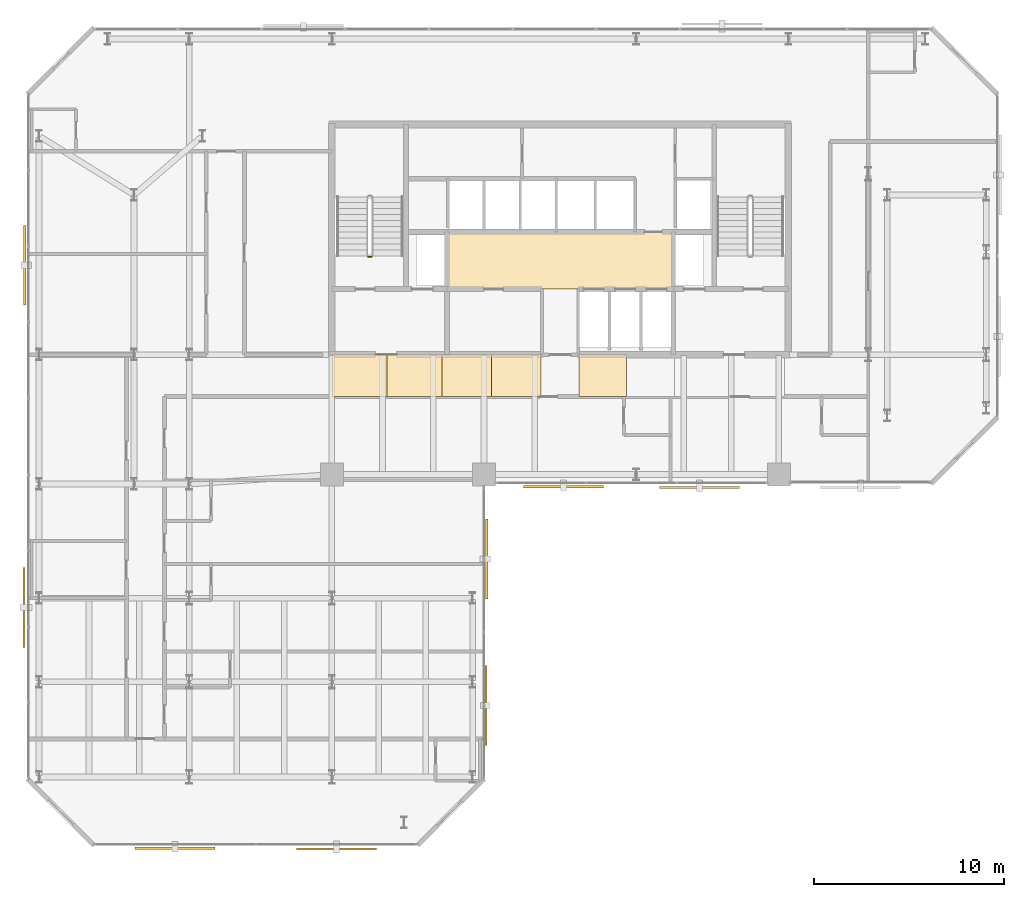
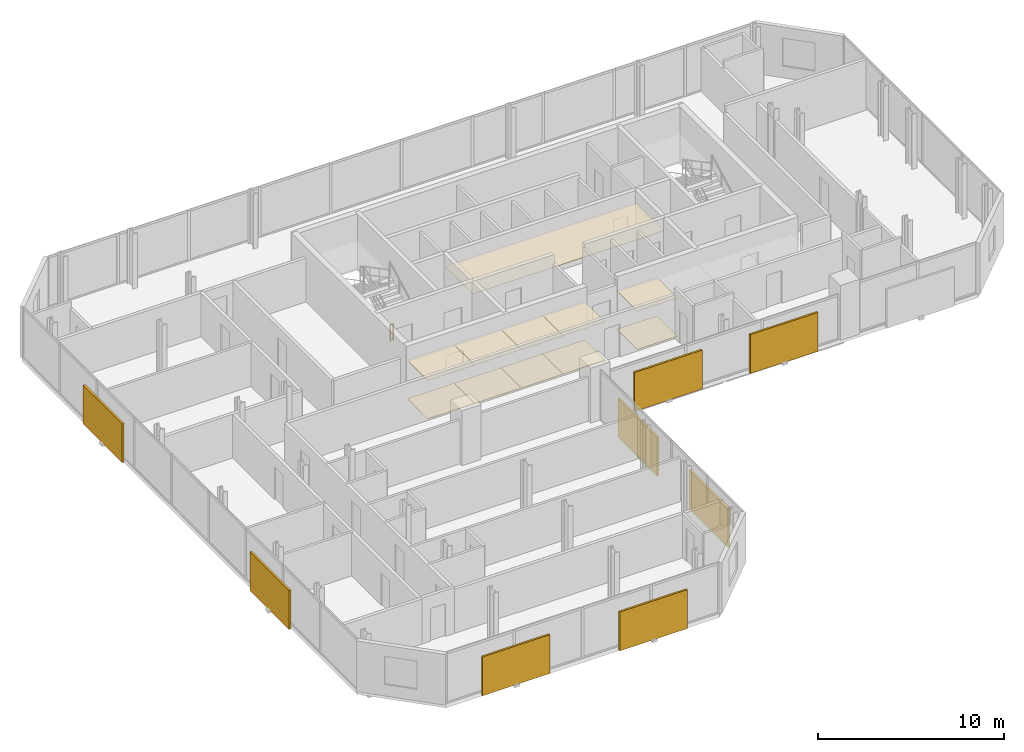
# One storey, part 31 of 32: 11 coverings, 8 shading devices, 1 railing.
"""IFC4 building model written with IfcOpenShell, lengths in metres."""

from ifc_helpers import new_model, si_unit, direction, frame, origin, origin_2d, place, context, subcontext, project, spatial, polyline, rectangle, circle, outline, extrude, material, layer, layer_set, type_object, element, save


model = new_model("IFC4")

# Units and contexts
model_context = context("Model", 3, precision=1e-05, world=origin(), true_north=direction((0.0, 1.0)))
body_context = subcontext(model_context, "Body", "Model", "MODEL_VIEW")
ifc_project = project(units=[si_unit("LENGTHUNIT", "METRE"), si_unit("AREAUNIT", "SQUARE_METRE"), si_unit("VOLUMEUNIT", "CUBIC_METRE"), si_unit("PLANEANGLEUNIT", "RADIAN"), si_unit("MASSUNIT", "GRAM", prefix="KILO")], contexts=[model_context])

# Site, building, storey
site_placement = place(None, origin())
site = spatial("IfcSite", under=ifc_project, at=site_placement, CompositionType="ELEMENT")
building_placement = place(site_placement, origin())
building = spatial("IfcBuilding", under=site, at=building_placement, Name="Catumbela Crestline Tower", CompositionType="ELEMENT")
storey_placement = place(building_placement, frame((0.0, 0.0, 129.6)))
storey = spatial("IfcBuildingStorey", under=building, at=storey_placement, Name="L33", CompositionType="ELEMENT", Elevation=129.6)

# Coverings
ifc_material_1 = material(Name="Mineral-fibre acoustic ceiling")
ifc_layer_1 = layer(ifc_material_1, 0.03, Name="Mineral-fibre acoustic ceiling")
ifc_layer_set_1 = layer_set([ifc_layer_1], Name="Mineral-fibre acoustic ceiling")
covering_type_1 = type_object("IfcCoveringType", Name="CC-AC", PredefinedType="CEILING", material=ifc_layer_set_1)
covering_1_placement = place(storey_placement, frame((0.0, 0.0, 2.65)))
element("IfcCovering", 1, at=covering_1_placement, inside=storey, type_object=covering_type_1, Name="L33 Lift Lobby Acoustic Ceiling", PredefinedType="CEILING", context=body_context, shape_type="SweptSolid", body=[
    extrude(outline(polyline([(22.05, 34.25), (33.95, 34.25), (33.95, 37.25), (22.05, 37.25), (22.05, 34.25)])), origin(), (0.0, 0.0, 1.0), 0.03),
])
covering_2_placement = place(storey_placement, frame((0.0, 0.0, 2.52)))
element("IfcCovering", 2, at=covering_2_placement, inside=storey, type_object=covering_type_1, Name="L33 Corridor Acoustic Ceiling Bay 1", PredefinedType="CEILING", context=body_context, shape_type="SweptSolid", body=[
    extrude(outline(polyline([(16.0, 28.6), (18.9, 28.6), (18.9, 30.8), (16.0, 30.8), (16.0, 28.6)])), origin(), (0.0, 0.0, 1.0), 0.03),
])
covering_3_placement = place(storey_placement, frame((0.0, 0.0, 2.52)))
element("IfcCovering", 3, at=covering_3_placement, inside=storey, type_object=covering_type_1, Name="L33 Corridor Acoustic Ceiling Bay 2", PredefinedType="CEILING", context=body_context, shape_type="SweptSolid", body=[
    extrude(outline(polyline([(18.9, 28.6), (21.8, 28.6), (21.8, 30.8), (18.9, 30.8), (18.9, 28.6)])), origin(), (0.0, 0.0, 1.0), 0.03),
])
covering_4_placement = place(storey_placement, frame((0.0, 0.0, 2.52)))
element("IfcCovering", 4, at=covering_4_placement, inside=storey, type_object=covering_type_1, Name="L33 Corridor Acoustic Ceiling Bay 3", PredefinedType="CEILING", context=body_context, shape_type="SweptSolid", body=[
    extrude(outline(polyline([(21.8, 28.6), (24.4, 28.6), (24.4, 30.8), (21.8, 30.8), (21.8, 28.6)])), origin(), (0.0, 0.0, 1.0), 0.03),
])
covering_5_placement = place(storey_placement, frame((0.0, 0.0, 2.52)))
element("IfcCovering", 5, at=covering_5_placement, inside=storey, type_object=covering_type_1, Name="L33 Corridor Acoustic Ceiling Bay 4", PredefinedType="CEILING", context=body_context, shape_type="SweptSolid", body=[
    extrude(outline(polyline([(24.4, 28.6), (27.0, 28.6), (27.0, 30.8), (24.4, 30.8), (24.4, 28.6)])), origin(), (0.0, 0.0, 1.0), 0.03),
])
covering_6_placement = place(storey_placement, frame((0.0, 0.0, 2.52)))
element("IfcCovering", 6, at=covering_6_placement, inside=storey, type_object=covering_type_1, Name="L33 Corridor Acoustic Ceiling Bay 5", PredefinedType="CEILING", context=body_context, shape_type="SweptSolid", body=[
    extrude(outline(polyline([(29.0, 28.6), (31.5, 28.6), (31.5, 30.8), (29.0, 30.8), (29.0, 28.6)])), origin(), (0.0, 0.0, 1.0), 0.03),
])
ifc_material_2 = material(Name="Angolan grey-ochre granite", Category="masonry")
ifc_layer_2 = layer(ifc_material_2, 0.025, Name="Angolan grey-ochre granite")
ifc_layer_set_2 = layer_set([ifc_layer_2], Name="Angolan grey-ochre granite")
covering_type_2 = type_object("IfcCoveringType", Name="CF-GR", PredefinedType="FLOORING", material=ifc_layer_set_2)
covering_7_placement = place(storey_placement, origin())
element("IfcCovering", 7, at=covering_7_placement, inside=storey, type_object=covering_type_2, Name="L33 Corridor Granite Flooring Bay 1", PredefinedType="FLOORING", context=body_context, shape_type="SweptSolid", body=[
    extrude(outline(polyline([(16.0, 28.6), (18.9, 28.6), (18.9, 30.8), (16.0, 30.8), (16.0, 28.6)])), origin(), (0.0, 0.0, 1.0), 0.025),
])
covering_8_placement = place(storey_placement, origin())
element("IfcCovering", 8, at=covering_8_placement, inside=storey, type_object=covering_type_2, Name="L33 Corridor Granite Flooring Bay 2", PredefinedType="FLOORING", context=body_context, shape_type="SweptSolid", body=[
    extrude(outline(polyline([(18.9, 28.6), (21.8, 28.6), (21.8, 30.8), (18.9, 30.8), (18.9, 28.6)])), origin(), (0.0, 0.0, 1.0), 0.025),
])
covering_9_placement = place(storey_placement, origin())
element("IfcCovering", 9, at=covering_9_placement, inside=storey, type_object=covering_type_2, Name="L33 Corridor Granite Flooring Bay 3", PredefinedType="FLOORING", context=body_context, shape_type="SweptSolid", body=[
    extrude(outline(polyline([(21.8, 28.6), (24.4, 28.6), (24.4, 30.8), (21.8, 30.8), (21.8, 28.6)])), origin(), (0.0, 0.0, 1.0), 0.025),
])
covering_10_placement = place(storey_placement, origin())
element("IfcCovering", 10, at=covering_10_placement, inside=storey, type_object=covering_type_2, Name="L33 Corridor Granite Flooring Bay 4", PredefinedType="FLOORING", context=body_context, shape_type="SweptSolid", body=[
    extrude(outline(polyline([(24.4, 28.6), (27.0, 28.6), (27.0, 30.8), (24.4, 30.8), (24.4, 28.6)])), origin(), (0.0, 0.0, 1.0), 0.025),
])
covering_11_placement = place(storey_placement, origin())
element("IfcCovering", 11, at=covering_11_placement, inside=storey, type_object=covering_type_2, Name="L33 Corridor Granite Flooring Bay 5", PredefinedType="FLOORING", context=body_context, shape_type="SweptSolid", body=[
    extrude(outline(polyline([(29.0, 28.6), (31.5, 28.6), (31.5, 30.8), (29.0, 30.8), (29.0, 28.6)])), origin(), (0.0, 0.0, 1.0), 0.025),
])

# Railing
ifc_material_3 = material(Name="Stainless steel EN 1.4401", Category="steel")
railing_type = type_object("IfcRailingType", Name="RG-1100", PredefinedType="GUARDRAIL", material=ifc_material_3)
railing_placement = place(storey_placement, frame((18.09, 35.95, 0.0)))
element("IfcRailing", 12, at=railing_placement, inside=storey, type_object=railing_type, Name="L33 ST-01 stair guard 4", PredefinedType="GUARDRAIL", context=body_context, shape_type="SweptSolid", body=[
    extrude(circle(Radius=0.024, at=origin_2d()), frame((0.0, 0.0, 1.076), z_axis=(-1.0, 0.0, 0.0), x_axis=(0.0, -1.0, 0.0)), (0.0, 0.0, 1.0), 0.18),
    extrude(circle(Radius=0.0156, at=origin_2d()), frame((0.0, 0.0, 0.55), z_axis=(-1.0, 0.0, 0.0), x_axis=(0.0, -1.0, 0.0)), (0.0, 0.0, 1.0), 0.18),
    extrude(circle(Radius=0.0156, at=origin_2d()), frame((0.0, 0.0, 0.12), z_axis=(-1.0, 0.0, 0.0), x_axis=(0.0, -1.0, 0.0)), (0.0, 0.0, 1.0), 0.18),
    extrude(circle(Radius=0.021, at=origin_2d()), origin(), (0.0, 0.0, 1.0), 1.052),
    extrude(circle(Radius=0.021, at=origin_2d()), frame((-0.18, 0.0, 0.0)), (0.0, 0.0, 1.0), 1.052),
])

# Shading devices
ifc_material_4 = material(Name="Extruded terracotta ceramic", Category="masonry")
shading_device_type_1 = type_object("IfcShadingDeviceType", Name="ST-180", PredefinedType="USERDEFINED", material=ifc_material_4)
shading_device_placement = place(storey_placement, frame((24.099, 12.35, -0.1), z_axis=(0.0, 0.0, 1.0), x_axis=(0.0, 1.0, 0.0)))
element("IfcShadingDevice", 13, at=shading_device_placement, inside=storey, type_object=shading_device_type_1, Name="L33 Perforated Terracotta Solar Screen 356 (180 mm)", ObjectType="SCREEN", PredefinedType="USERDEFINED", context=body_context, shape_type="SweptSolid", body=[
    extrude(rectangle(XDim=4.2, YDim=0.12, at=origin_2d()), origin(), (0.0, 0.0, 1.0), 2.55),
])
shading_device_type_2 = type_object("IfcShadingDeviceType", Name="ST-260", PredefinedType="USERDEFINED", material=ifc_material_4)
for number, where, z_axis, x_axis, name in (
    (14, (7.75, 4.857, -0.1), (0.0, 0.0, 1.0), (1.0, 0.0, 0.0), "L33 Perforated Terracotta Solar Screen 354 (260 mm)"),
    (15, (24.143, 20.05, -0.1), (0.0, 0.0, 1.0), (0.0, 1.0, 0.0), "L33 Perforated Terracotta Solar Screen 357 (260 mm)"),
    (16, (28.175, 23.857, -0.1), (0.0, 0.0, 1.0), (1.0, 0.0, 0.0), "L33 Perforated Terracotta Solar Screen 358 (260 mm)"),
    (17, (-0.143, 35.5, -0.1), (0.0, 0.0, 1.0), (0.0, -1.0, 0.0), "L33 Perforated Terracotta Solar Screen 365 (260 mm)"),
):
    element("IfcShadingDevice", number, at=place(storey_placement, frame(where, z_axis=z_axis, x_axis=x_axis)), inside=storey, type_object=shading_device_type_2, Name=name, ObjectType="SCREEN", PredefinedType="USERDEFINED", context=body_context, shape_type="SweptSolid", body=[
        extrude(rectangle(XDim=4.2, YDim=0.12, at=origin_2d()), origin(), (0.0, 0.0, 1.0), 2.55),
    ])
shading_device_type_3 = type_object("IfcShadingDeviceType", Name="ST-340", PredefinedType="USERDEFINED", material=ifc_material_4)
for number, where, z_axis, x_axis, name in (
    (18, (16.25, 4.813, -0.1), (0.0, 0.0, 1.0), (1.0, 0.0, 0.0), "L33 Perforated Terracotta Solar Screen 355 (340 mm)"),
    (19, (35.325, 23.813, -0.1), (0.0, 0.0, 1.0), (1.0, 0.0, 0.0), "L33 Perforated Terracotta Solar Screen 359 (340 mm)"),
    (20, (-0.187, 17.5, -0.1), (0.0, 0.0, 1.0), (0.0, -1.0, 0.0), "L33 Perforated Terracotta Solar Screen 366 (340 mm)"),
):
    element("IfcShadingDevice", number, at=place(storey_placement, frame(where, z_axis=z_axis, x_axis=x_axis)), inside=storey, type_object=shading_device_type_3, Name=name, ObjectType="SCREEN", PredefinedType="USERDEFINED", context=body_context, shape_type="SweptSolid", body=[
        extrude(rectangle(XDim=4.2, YDim=0.12, at=origin_2d()), origin(), (0.0, 0.0, 1.0), 2.55),
    ])

save(model, "model.ifc")
